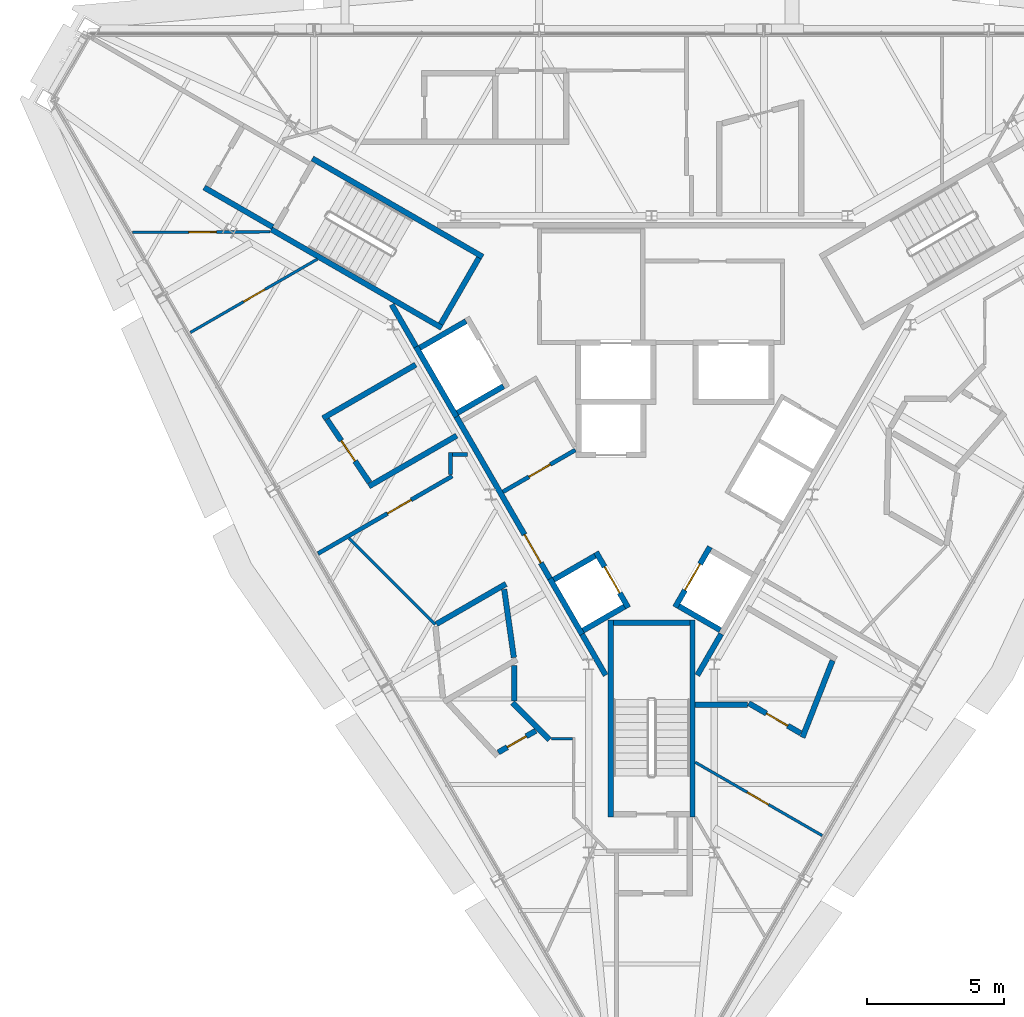
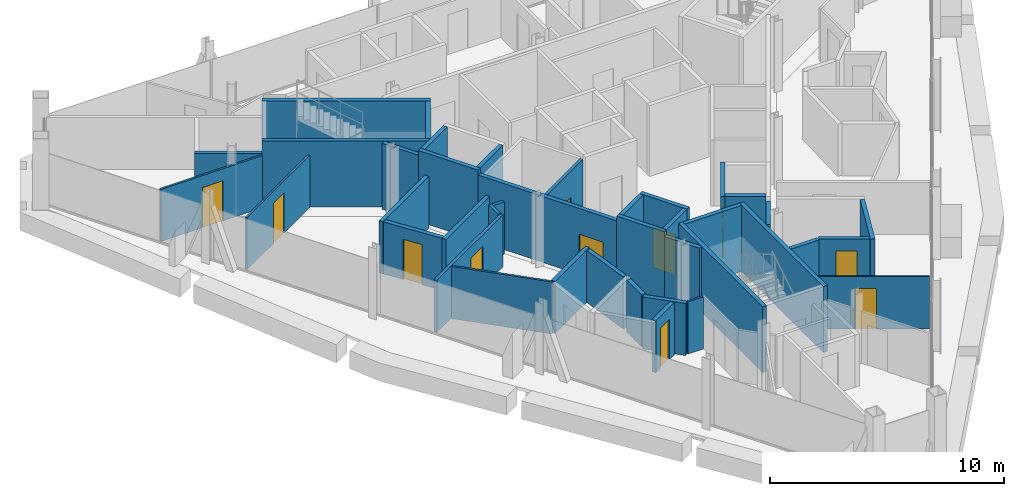
# One storey, part 8 of 13: 40 walls, 11 doors, 11 openings.
"""IFC4 building model written with IfcOpenShell, lengths in metres."""

import ifcopenshell
import ifcopenshell.guid

model = None  # the IFC model being written
_history = None  # IfcOwnerHistory: only IFC2X3 demands one
_inside = {}  # id of a spatial element -> (the spatial element, [elements in it])
_under = {}  # id of a project, library or spatial element -> (it, [spatial elements below it])
_declared = {}  # id of a project -> (the project, [libraries it declares])
_typed = {}  # id of a type object -> (the type object, [elements of that type])
_made_of = {}  # id of a material, layer set ... -> (it, [elements and type objects made of it])


def new_model(schema):
    """Start an empty IFC model of exactly this schema.

    Asked for "IFC4X3", IfcOpenShell would pick the latest addendum, in which some entities
    have other attributes; the version numbers below select the first issue.
    IFC2X3 requires an IfcOwnerHistory on every rooted entity: one is made here for all.
    """
    global model, _history
    if schema == "IFC4X3":
        model = ifcopenshell.file(schema_version=(4, 3, 0, 0))
    else:
        model = ifcopenshell.file(schema=schema)
    _inside.clear()
    _under.clear()
    _declared.clear()
    _typed.clear()
    _made_of.clear()
    _history = None
    if model.schema == "IFC2X3":
        org = make("IfcOrganization", Name="unknown")
        user = make(
            "IfcPersonAndOrganization",
            ThePerson=make("IfcPerson", FamilyName="unknown"),
            TheOrganization=org,
        )
        app = make(
            "IfcApplication",
            ApplicationDeveloper=org,
            Version="unknown",
            ApplicationFullName="unknown",
            ApplicationIdentifier="unknown",
        )
        _history = make(
            "IfcOwnerHistory",
            OwningUser=user,
            OwningApplication=app,
            ChangeAction="ADDED",
            CreationDate=0,
        )
    return model


def make(cls, **values):
    """One entity of the class cls with the attributes given. An attribute that is None is left unset."""
    return model.create_entity(
        cls, **{name: value for name, value in values.items() if value is not None}
    )


def rooted(cls, **values):
    """An entity with a GlobalId (a new one), such as an element, a storey or a relation."""
    return make(cls, GlobalId=ifcopenshell.guid.new(), OwnerHistory=_history, **values)


def si_unit(unit_type, name, prefix=None):
    """IfcSIUnit, for example si_unit("LENGTHUNIT", "METRE", prefix="MILLI")."""
    return make("IfcSIUnit", UnitType=unit_type, Prefix=prefix, Name=name)


def assignment(units):
    """IfcUnitAssignment: the units of a project."""
    return None if units is None else make("IfcUnitAssignment", Units=units)


def point(xyz):
    """IfcCartesianPoint."""
    return None if xyz is None else make("IfcCartesianPoint", Coordinates=xyz)


def direction(xyz):
    """IfcDirection."""
    return None if xyz is None else make("IfcDirection", DirectionRatios=xyz)


def frame(location, z_axis=None, x_axis=None):
    """IfcAxis2Placement3D, a coordinate frame: its origin and axes. An axis left out is left unset."""
    return make(
        "IfcAxis2Placement3D",
        Location=point(location),
        Axis=direction(z_axis),
        RefDirection=direction(x_axis),
    )


def frame_2d(location, x_axis=None):
    """IfcAxis2Placement2D, a coordinate frame in the plane: its origin and x axis."""
    return make(
        "IfcAxis2Placement2D", Location=point(location), RefDirection=direction(x_axis)
    )


def origin():
    """The frame at (0, 0, 0) with its axes left unset."""
    return frame((0.0, 0.0, 0.0))


def place(relative_to, where):
    """IfcLocalPlacement: puts the frame where relative to a parent placement (None: the world)."""
    return make(
        "IfcLocalPlacement", PlacementRelTo=relative_to, RelativePlacement=where
    )


def context(
    kind, dimensions, precision=None, world=None, true_north=None, identifier=None
):
    """IfcGeometricRepresentationContext, for example the 3D "Model" context."""
    return make(
        "IfcGeometricRepresentationContext",
        ContextIdentifier=identifier,
        ContextType=kind,
        CoordinateSpaceDimension=dimensions,
        Precision=precision,
        WorldCoordinateSystem=world,
        TrueNorth=true_north,
    )


def subcontext(parent, identifier, kind, view, scale=None):
    """IfcGeometricRepresentationSubContext, for example "Body" below "Model"."""
    return make(
        "IfcGeometricRepresentationSubContext",
        ContextIdentifier=identifier,
        ContextType=kind,
        ParentContext=parent,
        TargetScale=scale,
        TargetView=view,
    )


def project(units=None, contexts=None):
    """IfcProject with its units and contexts."""
    return rooted(
        "IfcProject",
        Name="project",
        RepresentationContexts=contexts,
        UnitsInContext=assignment(units),
    )


def spatial(cls, under=None, at=None, **own):
    """A site, building, storey or space (cls), placed at a placement, below another one or the project."""
    s = rooted(cls, ObjectPlacement=at, **own)
    if under is not None:
        _under.setdefault(under.id(), (under, []))[1].append(s)
    return s


def profile(cls, at=None, kind="AREA", **sizes):
    """A parametric profile (cls). Its sizes go by their IFC names, for example OverallWidth=200.0."""
    return make(cls, ProfileType=kind, Position=at, **sizes)


def rectangle(**sizes):
    """IfcRectangleProfileDef."""
    return profile("IfcRectangleProfileDef", **sizes)


def extrude(swept, where, along, depth):
    """IfcExtrudedAreaSolid: the profile swept, set in the frame where, extruded along a direction by depth."""
    return make(
        "IfcExtrudedAreaSolid",
        SweptArea=swept,
        Position=where,
        ExtrudedDirection=direction(along),
        Depth=depth,
    )


def shape(context_of_items, identifier, shape_type, items):
    """IfcShapeRepresentation: the items that make up one representation, for example the "Body"."""
    return make(
        "IfcShapeRepresentation",
        ContextOfItems=context_of_items,
        RepresentationIdentifier=identifier,
        RepresentationType=shape_type,
        Items=items,
    )


def material(Name=None, Category=None):
    """IfcMaterial."""
    return make("IfcMaterial", Name=Name, Category=Category)


def layer(
    of_material, thickness, ventilated=None, Name=None, Category=None, Priority=None
):
    """IfcMaterialLayer: one layer of a wall or slab, of a material (None: an air gap)."""
    return make(
        "IfcMaterialLayer",
        Material=of_material,
        LayerThickness=thickness,
        IsVentilated=ventilated,
        Name=Name,
        Category=Category,
        Priority=Priority,
    )


def layer_set(layers, Name=None):
    """IfcMaterialLayerSet."""
    return make("IfcMaterialLayerSet", MaterialLayers=layers, LayerSetName=Name)


def made_of(thing, what):
    """Note that an element or type object is made of a material, layer set ...; save() writes the relation."""
    if what is not None:
        _made_of.setdefault(what.id(), (what, []))[1].append(thing)
    return thing


def type_object(cls, material=None, **own):
    """A type object (cls), such as IfcWallType, which elements share."""
    return made_of(rooted(cls, **own), material)


def element(
    cls,
    number,
    at=None,
    inside=None,
    cuts=None,
    type_object=None,
    material=None,
    context=None,
    identifier="Body",
    shape_type=None,
    held_by="IfcProductDefinitionShape",
    body=None,
    shapes=None,
    **own,
):
    """One element of the class cls, such as IfcWall. Its Tag is "e" and its number.

    at: its placement. inside: the storey or other place that contains it. cuts: it is an
    opening in that element (IfcRelVoidsElement). A single representation is given by context,
    identifier, shape_type and body (its items); several are given by shapes. held_by: the class
    of the entity that holds the representations. save() writes the other relations.
    """
    e = rooted(cls, Tag="e%d" % number, ObjectPlacement=at, **own)
    if body is not None:
        shapes = [shape(context, identifier, shape_type, body)]
    if shapes is not None:
        e.Representation = make(held_by, Representations=shapes)
    if inside is not None:
        _inside.setdefault(inside.id(), (inside, []))[1].append(e)
    if cuts is not None:
        rooted(
            "IfcRelVoidsElement", RelatingBuildingElement=cuts, RelatedOpeningElement=e
        )
    if type_object is not None:
        _typed.setdefault(type_object.id(), (type_object, []))[1].append(e)
    return made_of(e, material)


def fill(opening, filler):
    """IfcRelFillsElement: the door or window that sits in an opening."""
    return rooted(
        "IfcRelFillsElement",
        RelatingOpeningElement=opening,
        RelatedBuildingElement=filler,
    )


def aggregate(whole, parts):
    """IfcRelAggregates: a whole, such as a stair, and the parts it consists of."""
    return rooted("IfcRelAggregates", RelatingObject=whole, RelatedObjects=parts)


def save(model, path):
    """Write the relations noted so far, then the file.

    IfcRelAggregates (storeys below a building ...), IfcRelContainedInSpatialStructure (elements
    in a storey), IfcRelDefinesByType, IfcRelAssociatesMaterial and IfcRelDeclares: one each for
    every whole, place, type object, material and project.
    """
    for whole, parts in _under.values():
        aggregate(whole, parts)
    for where, things in _inside.values():
        rooted(
            "IfcRelContainedInSpatialStructure",
            RelatedElements=things,
            RelatingStructure=where,
        )
    for kind, things in _typed.values():
        rooted("IfcRelDefinesByType", RelatedObjects=things, RelatingType=kind)
    for what, things in _made_of.values():
        rooted("IfcRelAssociatesMaterial", RelatedObjects=things, RelatingMaterial=what)
    for by, libraries in _declared.values():
        rooted("IfcRelDeclares", RelatingContext=by, RelatedDefinitions=libraries)
    model.write(path)


model = new_model("IFC4")

# Units and contexts
model_context = context("Model", 3, precision=1e-05, world=origin(), true_north=direction((0.0, 1.0)))
body_context = subcontext(model_context, "Body", "Model", "MODEL_VIEW")
ifc_project = project(units=[si_unit("LENGTHUNIT", "METRE"), si_unit("AREAUNIT", "SQUARE_METRE"), si_unit("VOLUMEUNIT", "CUBIC_METRE"), si_unit("PLANEANGLEUNIT", "RADIAN"), si_unit("MASSUNIT", "GRAM", prefix="KILO")], contexts=[model_context])

# Site, building, storey
site_placement = place(None, origin())
site = spatial("IfcSite", under=ifc_project, at=site_placement, CompositionType="ELEMENT")
building_placement = place(site_placement, origin())
building = spatial("IfcBuilding", under=site, at=building_placement, Name="Verrane Prism Tower", CompositionType="ELEMENT")
storey_placement = place(building_placement, frame((0.0, 0.0, 282.5)))
storey = spatial("IfcBuildingStorey", under=building, at=storey_placement, Name="L71", CompositionType="ELEMENT", Elevation=282.5)

# Wall
ifc_material_1 = material(Name="Gypsum board partition", Category="other")
ifc_layer_1 = layer(ifc_material_1, 0.199951171875)
ifc_layer_set_1 = layer_set([ifc_layer_1], Name="CW-200 core boundary wall 2 h")
wall_type_1 = type_object("IfcWallType", Name="CW-200 core boundary wall 2 h", PredefinedType="PARTITIONING", material=ifc_layer_set_1)
wall_1_placement = place(storey_placement, frame((-9.509033203125, 3.550537109375, 0.0), z_axis=(0.0, 0.0, 1.0), x_axis=(0.499999136801, -0.866025902152, 0.0)))
element("IfcWall", 1, at=wall_1_placement, inside=storey, type_object=wall_type_1, Name="Core boundary wall CW3-001", PredefinedType="PARTITIONING", context=body_context, shape_type="SweptSolid", body=[
    extrude(rectangle(XDim=1.7822265625, YDim=0.199951171875, at=frame_2d((0.89111328125, 0.0))), origin(), (0.0, 0.0, 1.0), 3.449951171875),
])

# Wall, opening, door
wall_2_placement = place(storey_placement, frame((-7.14111328125, -0.551025390625, 0.0), z_axis=(0.0, 0.0, 1.0), x_axis=(0.500001302854, -0.86602465158, 0.0)))
wall_2 = element("IfcWall", 2, at=wall_2_placement, inside=storey, type_object=wall_type_1, Name="Core boundary wall CW3-003", PredefinedType="PARTITIONING", context=body_context, shape_type="SweptSolid", body=[
    extrude(rectangle(XDim=6.84619140625, YDim=0.199951171875, at=frame_2d((3.423095703125, 0.0))), origin(), (0.0, 0.0, 1.0), 3.449951171875),
])
opening_1_placement = place(wall_2_placement, frame((4.98291015625, 0.0, 0.0)))
opening_1 = element("IfcOpeningElement", 3, at=opening_1_placement, cuts=wall_2, Name="Opening D69510", PredefinedType="OPENING", context=body_context, shape_type="SweptSolid", body=[
    extrude(rectangle(XDim=1.199951171875, YDim=2.10009765625, at=frame_2d((0.60009765625, 1.050048828125))), frame((0.0, 0.10986328125, 0.0), z_axis=(0.0, -1.0, 0.0), x_axis=(1.0, 0.0, 0.0)), (0.0, 0.0, 1.0), 0.219970703125),
])
ifc_material_2 = material(Name="Timber veneered door leaf", Category="wood")
door_type_1 = type_object("IfcDoorType", Name="DR-1200x2100 FD60 single leaf lift lobby", OperationType="NOTDEFINED", PredefinedType="DOOR", material=ifc_material_2)
door_1_placement = place(opening_1_placement, origin())
door_1 = element("IfcDoor", 4, at=door_1_placement, inside=storey, type_object=door_type_1, Name="Lift lobby door D69510", OperationType="SINGLE_SWING_RIGHT", OverallHeight=2.10009765625, OverallWidth=1.199951171875, PredefinedType="DOOR", context=body_context, shape_type="SweptSolid", body=[
    extrude(rectangle(XDim=1.199951171875, YDim=2.10009765625, at=frame_2d((0.60009765625, 1.050048828125))), frame((0.0, 0.02490234375, 0.0), z_axis=(0.0, -1.0, 0.0), x_axis=(1.0, 0.0, 0.0)), (0.0, 0.0, 1.0), 0.050048828125),
])
fill(opening_1, door_1)

# Walls
wall_3_placement = place(storey_placement, frame((-2.541015625, -8.51904296875, 0.0), z_axis=(0.0, 0.0, 1.0), x_axis=(0.500016142392, -0.86601608377, 0.0)))
element("IfcWall", 5, at=wall_3_placement, inside=storey, type_object=wall_type_1, Name="Core boundary wall CW3-004", PredefinedType="PARTITIONING", context=body_context, shape_type="SweptSolid", body=[
    extrude(rectangle(XDim=1.72705078125, YDim=0.199951171875, at=frame_2d((0.863525390625, 0.0))), origin(), (0.0, 0.0, 1.0), 3.449951171875),
])
wall_4_placement = place(storey_placement, frame((1.677490234375, -10.0146484375, 0.0), z_axis=(0.0, 0.0, 1.0), x_axis=(0.49983532306, 0.866120459187, 0.0)))
element("IfcWall", 6, at=wall_4_placement, inside=storey, type_object=wall_type_1, Name="Core boundary wall CW3-005", PredefinedType="PARTITIONING", context=body_context, shape_type="SweptSolid", body=[
    extrude(rectangle(XDim=1.74755859375, YDim=0.199951171875, at=frame_2d((0.873779296875, 0.0))), origin(), (0.0, 0.0, 1.0), 3.449951171875),
])
ifc_material_3 = material(Name="Concrete C40/50", Category="concrete")
ifc_layer_2 = layer(ifc_material_3, 0.199951171875)
ifc_layer_set_2 = layer_set([ifc_layer_2], Name="CW-200 stair core wall concrete C40/50 3 h")
wall_type_2 = type_object("IfcWallType", Name="CW-200 stair core wall concrete C40/50 3 h", PredefinedType="PARTITIONING", material=ifc_layer_set_2)
for number, where, z_axis, x_axis, name in (
    (7, (-7.67822265625, 2.700927734375, 0.0), (0.0, 0.0, 1.0), (-0.866018442252, 0.500012057535, 0.0), "Stair 2 enclosure wall"),
    (8, (-6.17822265625, 5.299072265625, 0.0), (0.0, 0.0, 1.0), (-0.866033125095, 0.499986626058, 0.0), "Stair 2 enclosure wall"),
):
    element("IfcWall", number, at=place(storey_placement, frame(where, z_axis=z_axis, x_axis=x_axis)), inside=storey, type_object=wall_type_2, Name=name, PredefinedType="PARTITIONING", context=body_context, shape_type="SweptSolid", body=[
        extrude(rectangle(XDim=7.199951171875, YDim=0.199951171875, at=frame_2d((3.60009765625, 0.0))), origin(), (0.0, 0.0, 1.0), 3.449951171875),
    ])
wall_5_placement = place(storey_placement, frame((-6.314697265625, 5.262451171875, 0.0), z_axis=(0.0, 0.0, 1.0), x_axis=(-0.500049511043, -0.865996816683, 0.0)))
element("IfcWall", 9, at=wall_5_placement, inside=storey, type_object=wall_type_2, Name="Stair 2 enclosure wall", PredefinedType="PARTITIONING", context=body_context, shape_type="SweptSolid", body=[
    extrude(rectangle(XDim=2.800048828125, YDim=0.199951171875, at=frame_2d((1.39990234375, 0.0))), origin(), (0.0, 0.0, 1.0), 3.449951171875),
])
for number, where, z_axis, x_axis, name in (
    (10, (1.5, -8.0, 0.0), (0.0, 0.0, 1.0), (0.0, -1.0, 0.0), "Stair 3 enclosure wall"),
    (11, (-1.5, -8.0, 0.0), (0.0, 0.0, 1.0), (0.0, -1.0, 0.0), "Stair 3 enclosure wall"),
):
    element("IfcWall", number, at=place(storey_placement, frame(where, z_axis=z_axis, x_axis=x_axis)), inside=storey, type_object=wall_type_2, Name=name, PredefinedType="PARTITIONING", context=body_context, shape_type="SweptSolid", body=[
        extrude(rectangle(XDim=7.199951171875, YDim=0.199951171875, at=frame_2d((3.60009765625, 0.0))), origin(), (0.0, 0.0, 1.0), 3.449951171875),
    ])
wall_6_placement = place(storey_placement, frame((-1.39990234375, -8.10009765625, 0.0), z_axis=(0.0, 0.0, 1.0), x_axis=(1.0, 0.0, 0.0)))
element("IfcWall", 12, at=wall_6_placement, inside=storey, type_object=wall_type_2, Name="Stair 3 enclosure wall", PredefinedType="PARTITIONING", context=body_context, shape_type="SweptSolid", body=[
    extrude(rectangle(XDim=2.7998046875, YDim=0.199951171875, at=frame_2d((1.39990234375, 0.0))), origin(), (0.0, 0.0, 1.0), 3.449951171875),
])
ifc_material_4 = material(Name="Gypsum board shaft wall assembly", Category="other")
ifc_layer_3 = layer(ifc_material_4, 0.199951171875)
ifc_layer_set_3 = layer_set([ifc_layer_3], Name="HW-200 lift shaft wall 2 h")
wall_type_3 = type_object("IfcWallType", Name="HW-200 lift shaft wall 2 h", PredefinedType="PARTITIONING", material=ifc_layer_set_3)
for number, where, z_axis, x_axis, name in (
    (13, (-2.50537109375, -8.38037109375, 0.0), (0.0, 0.0, 1.0), (0.866002029911, 0.500040482552, 0.0), "Lift shaft wall"),
    (14, (-3.580322265625, -6.5185546875, 0.0), (0.0, 0.0, 1.0), (0.866002029911, 0.500040482552, 0.0), "Lift shaft wall"),
):
    element("IfcWall", number, at=place(storey_placement, frame(where, z_axis=z_axis, x_axis=x_axis)), inside=storey, type_object=wall_type_3, Name=name, PredefinedType="PARTITIONING", context=body_context, shape_type="SweptSolid", body=[
        extrude(rectangle(XDim=1.749755859375, YDim=0.199951171875, at=frame_2d((0.875, 0.0))), origin(), (0.0, 0.0, 1.0), 3.699951171875),
    ])
for number, where, z_axis, x_axis, name in (
    (15, (-7.10546875, -0.4130859375, 0.0), (0.0, 0.0, 1.0), (0.866000020948, 0.500043961785, 0.0), "Lift shaft wall"),
    (16, (-8.48046875, 1.968505859375, 0.0), (0.0, 0.0, 1.0), (0.866000020948, 0.500043961785, 0.0), "Lift shaft wall"),
):
    element("IfcWall", number, at=place(storey_placement, frame(where, z_axis=z_axis, x_axis=x_axis)), inside=storey, type_object=wall_type_3, Name=name, PredefinedType="PARTITIONING", context=body_context, shape_type="SweptSolid", body=[
        extrude(rectangle(XDim=1.949951171875, YDim=0.199951171875, at=frame_2d((0.97509765625, 0.0))), origin(), (0.0, 0.0, 1.0), 3.699951171875),
    ])

# Wall, opening, door
wall_7_placement = place(storey_placement, frame((0.86328125, -7.524658203125, 0.0), z_axis=(0.0, 0.0, 1.0), x_axis=(0.499990435942, 0.866030925526, 0.0)))
wall_7 = element("IfcWall", 17, at=wall_7_placement, inside=storey, type_object=wall_type_3, Name="Lift shaft wall", PredefinedType="PARTITIONING", context=body_context, shape_type="SweptSolid", body=[
    extrude(rectangle(XDim=2.5498046875, YDim=0.199951171875, at=frame_2d((1.27490234375, 0.0))), origin(), (0.0, 0.0, 1.0), 3.699951171875),
])
opening_2_placement = place(wall_7_placement, frame((0.72509765625, 0.0, 0.0)))
opening_2 = element("IfcOpeningElement", 18, at=opening_2_placement, cuts=wall_7, Name="Opening D69505", PredefinedType="OPENING", context=body_context, shape_type="SweptSolid", body=[
    extrude(rectangle(XDim=1.10009765625, YDim=2.10009765625, at=frame_2d((0.550048828125, 1.050048828125))), frame((0.0, 0.10986328125, 0.0), z_axis=(0.0, -1.0, 0.0), x_axis=(1.0, 0.0, 0.0)), (0.0, 0.0, 1.0), 0.219970703125),
])
ifc_material_5 = material(Name="Stainless steel sliding landing door", Category="steel")
door_type_2 = type_object("IfcDoorType", Name="LD-1100x2100 lift landing door FD90 sliding", OperationType="NOTDEFINED", PredefinedType="DOOR", material=ifc_material_5)
door_2_placement = place(opening_2_placement, origin())
door_2 = element("IfcDoor", 19, at=door_2_placement, inside=storey, type_object=door_type_2, Name="Bank C lift 3 landing door", OperationType="SLIDING_TO_LEFT", OverallHeight=2.10009765625, OverallWidth=1.10009765625, PredefinedType="DOOR", context=body_context, shape_type="SweptSolid", body=[
    extrude(rectangle(XDim=1.10009765625, YDim=2.10009765625, at=frame_2d((0.550048828125, 1.050048828125))), frame((0.0, 0.02490234375, 0.0), z_axis=(0.0, -1.0, 0.0), x_axis=(1.0, 0.0, 0.0)), (0.0, 0.0, 1.0), 0.050048828125),
])
fill(opening_2, door_2)

wall_8_placement = place(storey_placement, frame((-0.853271484375, -7.5419921875, 0.0), z_axis=(0.0, 0.0, 1.0), x_axis=(-0.500016218704, 0.866016039709, 0.0)))
wall_8 = element("IfcWall", 20, at=wall_8_placement, inside=storey, type_object=wall_type_3, Name="Lift shaft wall", PredefinedType="PARTITIONING", context=body_context, shape_type="SweptSolid", body=[
    extrude(rectangle(XDim=2.35009765625, YDim=0.199951171875, at=frame_2d((1.175048828125, 0.0))), origin(), (0.0, 0.0, 1.0), 3.699951171875),
])
opening_3_placement = place(wall_8_placement, frame((0.625, 0.0, 0.0)))
opening_3 = element("IfcOpeningElement", 21, at=opening_3_placement, cuts=wall_8, Name="Opening D69503", PredefinedType="OPENING", context=body_context, shape_type="SweptSolid", body=[
    extrude(rectangle(XDim=1.10009765625, YDim=2.10009765625, at=frame_2d((0.550048828125, 1.050048828125))), frame((0.0, 0.10986328125, 0.0), z_axis=(0.0, -1.0, 0.0), x_axis=(1.0, 0.0, 0.0)), (0.0, 0.0, 1.0), 0.219970703125),
])
door_3_placement = place(opening_3_placement, origin())
door_3 = element("IfcDoor", 22, at=door_3_placement, inside=storey, type_object=door_type_2, Name="Bank C lift 1 landing door", OperationType="SLIDING_TO_LEFT", OverallHeight=2.10009765625, OverallWidth=1.10009765625, PredefinedType="DOOR", context=body_context, shape_type="SweptSolid", body=[
    extrude(rectangle(XDim=1.10009765625, YDim=2.10009765625, at=frame_2d((0.550048828125, 1.050048828125))), frame((0.0, 0.02490234375, 0.0), z_axis=(0.0, -1.0, 0.0), x_axis=(1.0, 0.0, 0.0)), (0.0, 0.0, 1.0), 0.050048828125),
])
fill(opening_3, door_3)

# Walls
wall_9_placement = place(storey_placement, frame((-2.5419921875, -8.51708984375, 0.0), z_axis=(0.0, 0.0, 1.0), x_axis=(-0.500016218704, 0.866016039709, 0.0)))
element("IfcWall", 23, at=wall_9_placement, inside=storey, type_object=wall_type_3, Name="Lift shaft wall", PredefinedType="PARTITIONING", context=body_context, shape_type="SweptSolid", body=[
    extrude(rectangle(XDim=2.35009765625, YDim=0.199951171875, at=frame_2d((1.175048828125, 0.0))), origin(), (0.0, 0.0, 1.0), 3.699951171875),
])
wall_10_placement = place(storey_placement, frame((-7.14208984375, -0.549560546875, 0.0), z_axis=(0.0, 0.0, 1.0), x_axis=(-0.49997559174, 0.866039495442, 0.0)))
element("IfcWall", 24, at=wall_10_placement, inside=storey, type_object=wall_type_3, Name="Lift shaft wall", PredefinedType="PARTITIONING", context=body_context, shape_type="SweptSolid", body=[
    extrude(rectangle(XDim=2.949951171875, YDim=0.199951171875, at=frame_2d((1.47509765625, 0.0))), origin(), (0.0, 0.0, 1.0), 3.699951171875),
])
wall_11_placement = place(storey_placement, frame((2.515380859375, -8.36328125, 0.0), z_axis=(0.0, 0.0, 1.0), x_axis=(-0.866036909293, 0.499980071345, 0.0)))
element("IfcWall", 25, at=wall_11_placement, inside=storey, type_object=wall_type_3, Name="Lift shaft wall", PredefinedType="PARTITIONING", context=body_context, shape_type="SweptSolid", body=[
    extrude(rectangle(XDim=1.75, YDim=0.199951171875, at=frame_2d((0.875, 0.0))), origin(), (0.0, 0.0, 1.0), 3.699951171875),
])

# Wall, opening, door
ifc_material_6 = material(Name="Gypsum board partition", Category="other")
ifc_layer_4 = layer(ifc_material_6, 0.10009765625)
ifc_layer_set_4 = layer_set([ifc_layer_4], Name="PW-100 room partition")
wall_type_4 = type_object("IfcWallType", Name="PW-100 room partition", PredefinedType="PARTITIONING", material=ifc_layer_set_4)
wall_12_placement = place(storey_placement, frame((-19.00537109375, 6.19580078125, 0.0), z_axis=(0.0, 0.0, 1.0), x_axis=(0.999993403855, 0.003632113191, 0.0)))
wall_12 = element("IfcWall", 26, at=wall_12_placement, inside=storey, type_object=wall_type_4, Name="Room partition 002", PredefinedType="PARTITIONING", context=body_context, shape_type="SweptSolid", body=[
    extrude(rectangle(XDim=5.041259765625, YDim=0.10009765625, at=frame_2d((2.5205078125, 0.0))), origin(), (0.0, 0.0, 1.0), 2.722900390625),
])
opening_4_placement = place(wall_12_placement, frame((2.074462890625, 0.0, 0.0)))
opening_4 = element("IfcOpeningElement", 27, at=opening_4_placement, cuts=wall_12, Name="Opening D69022", PredefinedType="OPENING", context=body_context, shape_type="SweptSolid", body=[
    extrude(rectangle(XDim=1.0, YDim=2.10009765625, at=frame_2d((0.5, 1.050048828125))), frame((0.0, 0.06005859375, 0.0), z_axis=(0.0, -1.0, 0.0), x_axis=(1.0, 0.0, 0.0)), (0.0, 0.0, 1.0), 0.1201171875),
])
ifc_material_7 = material(Name="Timber veneered door leaf", Category="wood")
door_type_3 = type_object("IfcDoorType", Name="DR-1000x2100 single leaf inner", OperationType="NOTDEFINED", PredefinedType="DOOR", material=ifc_material_7)
door_4_placement = place(opening_4_placement, origin())
door_4 = element("IfcDoor", 28, at=door_4_placement, inside=storey, type_object=door_type_3, Name="Study door", OperationType="SINGLE_SWING_RIGHT", OverallHeight=2.10009765625, OverallWidth=1.0, PredefinedType="DOOR", context=body_context, shape_type="SweptSolid", body=[
    extrude(rectangle(XDim=1.0, YDim=2.10009765625, at=frame_2d((0.5, 1.050048828125))), frame((0.0, 0.02490234375, 0.0), z_axis=(0.0, -1.0, 0.0), x_axis=(1.0, 0.0, 0.0)), (0.0, 0.0, 1.0), 0.050048828125),
])
fill(opening_4, door_4)

wall_13_placement = place(storey_placement, frame((-16.87744140625, 2.531005859375, 0.0), z_axis=(0.0, 0.0, 1.0), x_axis=(0.865988563531, 0.500063803762, 0.0)))
wall_13 = element("IfcWall", 29, at=wall_13_placement, inside=storey, type_object=wall_type_4, Name="Room partition 003", PredefinedType="PARTITIONING", context=body_context, shape_type="SweptSolid", body=[
    extrude(rectangle(XDim=5.365478515625, YDim=0.10009765625, at=frame_2d((2.6826171875, 0.0))), origin(), (0.0, 0.0, 1.0), 2.722900390625),
])
opening_5_placement = place(wall_13_placement, frame((2.253662109375, 0.0, 0.0)))
opening_5 = element("IfcOpeningElement", 30, at=opening_5_placement, cuts=wall_13, Name="Opening D69019", PredefinedType="OPENING", context=body_context, shape_type="SweptSolid", body=[
    extrude(rectangle(XDim=0.89990234375, YDim=2.10009765625, at=frame_2d((0.449951171875, 1.050048828125))), frame((0.0, 0.06005859375, 0.0), z_axis=(0.0, -1.0, 0.0), x_axis=(1.0, 0.0, 0.0)), (0.0, 0.0, 1.0), 0.1201171875),
])
ifc_material_8 = material(Name="Timber veneered door leaf", Category="wood")
door_type_4 = type_object("IfcDoorType", Name="DR-900x2100 single leaf inner", OperationType="NOTDEFINED", PredefinedType="DOOR", material=ifc_material_8)
door_5_placement = place(opening_5_placement, origin())
door_5 = element("IfcDoor", 31, at=door_5_placement, inside=storey, type_object=door_type_4, Name="Living And Dining Room door", OperationType="SINGLE_SWING_LEFT", OverallHeight=2.10009765625, OverallWidth=0.89990234375, PredefinedType="DOOR", context=body_context, shape_type="SweptSolid", body=[
    extrude(rectangle(XDim=0.89990234375, YDim=2.10009765625, at=frame_2d((0.449951171875, 1.050048828125))), frame((0.0, 0.02490234375, 0.0), z_axis=(0.0, -1.0, 0.0), x_axis=(1.0, 0.0, 0.0)), (0.0, 0.0, 1.0), 0.050048828125),
])
fill(opening_5, door_5)

# Walls
wall_14_placement = place(storey_placement, frame((-11.070556640625, -5.00830078125, 0.0), z_axis=(0.0, 0.0, 1.0), x_axis=(0.707079435951, -0.707134125365, 0.0)))
element("IfcWall", 32, at=wall_14_placement, inside=storey, type_object=wall_type_4, Name="Room partition 014", PredefinedType="PARTITIONING", context=body_context, shape_type="SweptSolid", body=[
    extrude(rectangle(XDim=4.464111328125, YDim=0.10009765625, at=frame_2d((2.23193359375, 0.0))), origin(), (0.0, 0.0, 1.0), 2.722900390625),
])
wall_15_placement = place(storey_placement, frame((-3.6640625, -12.339111328125, 0.0), z_axis=(0.0, 0.0, 1.0), x_axis=(1.0, 0.0, 0.0)))
element("IfcWall", 33, at=wall_15_placement, inside=storey, type_object=wall_type_4, Name="Room partition 032", PredefinedType="PARTITIONING", context=body_context, shape_type="SweptSolid", body=[
    extrude(rectangle(XDim=0.76416015625, YDim=0.10009765625, at=frame_2d((0.382080078125, 0.0))), origin(), (0.0, 0.0, 1.0), 2.722900390625),
])

# Wall, opening, door
wall_16_placement = place(storey_placement, frame((6.24658203125, -15.8828125, 0.0), z_axis=(0.0, 0.0, 1.0), x_axis=(-0.866008267802, 0.500029679218, 0.0)))
wall_16 = element("IfcWall", 34, at=wall_16_placement, inside=storey, type_object=wall_type_4, Name="Room partition 046", PredefinedType="PARTITIONING", context=body_context, shape_type="SweptSolid", body=[
    extrude(rectangle(XDim=5.365478515625, YDim=0.10009765625, at=frame_2d((2.6826171875, 0.0))), origin(), (0.0, 0.0, 1.0), 2.722900390625),
])
opening_6_placement = place(wall_16_placement, frame((2.265380859375, 0.0, 0.0)))
opening_6 = element("IfcOpeningElement", 35, at=opening_6_placement, cuts=wall_16, Name="Opening D69001", PredefinedType="OPENING", context=body_context, shape_type="SweptSolid", body=[
    extrude(rectangle(XDim=0.89990234375, YDim=2.10009765625, at=frame_2d((0.449951171875, 1.050048828125))), frame((0.0, 0.06005859375, 0.0), z_axis=(0.0, -1.0, 0.0), x_axis=(1.0, 0.0, 0.0)), (0.0, 0.0, 1.0), 0.1201171875),
])
door_6_placement = place(opening_6_placement, origin())
door_6 = element("IfcDoor", 36, at=door_6_placement, inside=storey, type_object=door_type_4, Name="Living And Dining Room door", OperationType="SINGLE_SWING_RIGHT", OverallHeight=2.10009765625, OverallWidth=0.89990234375, PredefinedType="DOOR", context=body_context, shape_type="SweptSolid", body=[
    extrude(rectangle(XDim=0.89990234375, YDim=2.10009765625, at=frame_2d((0.449951171875, 1.050048828125))), frame((0.0, 0.02490234375, 0.0), z_axis=(0.0, -1.0, 0.0), x_axis=(1.0, 0.0, 0.0)), (0.0, 0.0, 1.0), 0.050048828125),
])
fill(opening_6, door_6)

ifc_material_9 = material(Name="Gypsum board partition", Category="other")
ifc_layer_5 = layer(ifc_material_9, 0.14990234375)
ifc_layer_set_5 = layer_set([ifc_layer_5], Name="PW-150 demising wall 1 h")
wall_type_5 = type_object("IfcWallType", Name="PW-150 demising wall 1 h", PredefinedType="PARTITIONING", material=ifc_layer_set_5)
wall_17_placement = place(storey_placement, frame((-12.205078125, -5.562255859375, 0.0), z_axis=(0.0, 0.0, 1.0), x_axis=(0.866006351856, 0.500032997455, 0.0)))
wall_17 = element("IfcWall", 37, at=wall_17_placement, inside=storey, type_object=wall_type_5, Name="Demising wall 010", PredefinedType="PARTITIONING", context=body_context, shape_type="SweptSolid", body=[
    extrude(rectangle(XDim=5.6708984375, YDim=0.14990234375, at=frame_2d((2.83544921875, 0.0))), origin(), (0.0, 0.0, 1.0), 2.722900390625),
])
opening_7_placement = place(wall_17_placement, frame((2.935302734375, 0.0, 0.0)))
opening_7 = element("IfcOpeningElement", 38, at=opening_7_placement, cuts=wall_17, Name="Opening D69020", PredefinedType="OPENING", context=body_context, shape_type="SweptSolid", body=[
    extrude(rectangle(XDim=1.0, YDim=2.10009765625, at=frame_2d((0.5, 1.050048828125))), frame((0.0, 0.0849609375, 0.0), z_axis=(0.0, -1.0, 0.0), x_axis=(1.0, 0.0, 0.0)), (0.0, 0.0, 1.0), 0.169921875),
])
ifc_material_10 = material(Name="Timber veneered door leaf", Category="wood")
door_type_5 = type_object("IfcDoorType", Name="DR-1000x2100 FD20 single leaf inner", OperationType="NOTDEFINED", PredefinedType="DOOR", material=ifc_material_10)
door_7_placement = place(opening_7_placement, origin())
door_7 = element("IfcDoor", 39, at=door_7_placement, inside=storey, type_object=door_type_5, Name="Entrance Foyer door", OperationType="SINGLE_SWING_RIGHT", OverallHeight=2.10009765625, OverallWidth=1.0, PredefinedType="DOOR", context=body_context, shape_type="SweptSolid", body=[
    extrude(rectangle(XDim=1.0, YDim=2.10009765625, at=frame_2d((0.5, 1.050048828125))), frame((0.0, 0.02490234375, 0.0), z_axis=(0.0, -1.0, 0.0), x_axis=(1.0, 0.0, 0.0)), (0.0, 0.0, 1.0), 0.050048828125),
])
fill(opening_7, door_7)

# Walls
wall_18_placement = place(storey_placement, frame((-7.35888671875, -2.6640625, 0.0), z_axis=(0.0, 0.0, 1.0), x_axis=(0.0, 1.0, 0.0)))
element("IfcWall", 40, at=wall_18_placement, inside=storey, type_object=wall_type_5, Name="Demising wall 023", PredefinedType="PARTITIONING", context=body_context, shape_type="SweptSolid", body=[
    extrude(rectangle(XDim=0.80810546875, YDim=0.14990234375, at=frame_2d((0.404052734375, 0.0))), origin(), (0.0, 0.0, 1.0), 2.722900390625),
])
wall_19_placement = place(storey_placement, frame((-7.283935546875, -1.930908203125, 0.0), z_axis=(0.0, 0.0, 1.0), x_axis=(1.0, 0.0, 0.0)))
element("IfcWall", 41, at=wall_19_placement, inside=storey, type_object=wall_type_5, Name="Demising wall 024", PredefinedType="PARTITIONING", context=body_context, shape_type="SweptSolid", body=[
    extrude(rectangle(XDim=0.546875, YDim=0.14990234375, at=frame_2d((0.2734375, 0.0))), origin(), (0.0, 0.0, 1.0), 2.722900390625),
])
ifc_material_11 = material(Name="Gypsum board partition", Category="other")
ifc_layer_6 = layer(ifc_material_11, 0.199951171875)
ifc_layer_set_6 = layer_set([ifc_layer_6], Name="PW-200 plumbing wall")
wall_type_6 = type_object("IfcWallType", Name="PW-200 plumbing wall", PredefinedType="PARTITIONING", material=ifc_layer_set_6)
wall_20_placement = place(storey_placement, frame((-16.37451171875, 7.838134765625, 0.0), z_axis=(0.0, 0.0, 1.0), x_axis=(0.865912083802, -0.500196224622, 0.0)))
element("IfcWall", 42, at=wall_20_placement, inside=storey, type_object=wall_type_6, Name="Plumbing wall 005", PredefinedType="PARTITIONING", context=body_context, shape_type="SweptSolid", body=[
    extrude(rectangle(XDim=2.899169921875, YDim=0.199951171875, at=frame_2d((1.44970703125, 0.0))), origin(), (0.0, 0.0, 1.0), 2.722900390625),
])

# Wall, opening, door
wall_21_placement = place(storey_placement, frame((-11.87841796875, -0.650146484375, 0.0), z_axis=(0.0, 0.0, 1.0), x_axis=(0.55887703026, -0.829250544195, 0.0)))
wall_21 = element("IfcWall", 43, at=wall_21_placement, inside=storey, type_object=wall_type_6, Name="Plumbing wall 011", PredefinedType="PARTITIONING", context=body_context, shape_type="SweptSolid", body=[
    extrude(rectangle(XDim=2.78759765625, YDim=0.199951171875, at=frame_2d((1.393798828125, 0.0))), origin(), (0.0, 0.0, 1.0), 2.722900390625),
])
opening_8_placement = place(wall_21_placement, frame((0.93994140625, 0.0, 0.0)))
opening_8 = element("IfcOpeningElement", 44, at=opening_8_placement, cuts=wall_21, Name="Opening D69021", PredefinedType="OPENING", context=body_context, shape_type="SweptSolid", body=[
    extrude(rectangle(XDim=0.89990234375, YDim=2.10009765625, at=frame_2d((0.449951171875, 1.050048828125))), frame((0.0, 0.10986328125, 0.0), z_axis=(0.0, -1.0, 0.0), x_axis=(1.0, 0.0, 0.0)), (0.0, 0.0, 1.0), 0.219970703125),
])
door_8_placement = place(opening_8_placement, origin())
door_8 = element("IfcDoor", 45, at=door_8_placement, inside=storey, type_object=door_type_4, Name="Kitchen door", OperationType="SINGLE_SWING_LEFT", OverallHeight=2.10009765625, OverallWidth=0.89990234375, PredefinedType="DOOR", context=body_context, shape_type="SweptSolid", body=[
    extrude(rectangle(XDim=0.89990234375, YDim=2.10009765625, at=frame_2d((0.449951171875, 1.050048828125))), frame((0.0, 0.02490234375, 0.0), z_axis=(0.0, -1.0, 0.0), x_axis=(1.0, 0.0, 0.0)), (0.0, 0.0, 1.0), 0.050048828125),
])
fill(opening_8, door_8)

# Walls
wall_22_placement = place(storey_placement, frame((-12.026611328125, -0.60888671875, 0.0), z_axis=(0.0, 0.0, 1.0), x_axis=(0.866011328839, 0.500024377727, 0.0)))
element("IfcWall", 46, at=wall_22_placement, inside=storey, type_object=wall_type_6, Name="Plumbing wall 012", PredefinedType="PARTITIONING", context=body_context, shape_type="SweptSolid", body=[
    extrude(rectangle(XDim=3.919677734375, YDim=0.199951171875, at=frame_2d((1.9599609375, 0.0))), origin(), (0.0, 0.0, 1.0), 2.722900390625),
])
wall_23_placement = place(storey_placement, frame((-10.345703125, -3.10302734375, 0.0), z_axis=(0.0, 0.0, 1.0), x_axis=(0.865958782482, 0.500115373731, 0.0)))
element("IfcWall", 47, at=wall_23_placement, inside=storey, type_object=wall_type_6, Name="Plumbing wall 016", PredefinedType="PARTITIONING", context=body_context, shape_type="SweptSolid", body=[
    extrude(rectangle(XDim=3.7109375, YDim=0.199951171875, at=frame_2d((1.85546875, 0.0))), origin(), (0.0, 0.0, 1.0), 2.722900390625),
])
wall_24_placement = place(storey_placement, frame((-7.87060546875, -8.139892578125, 0.0), z_axis=(0.0, 0.0, 1.0), x_axis=(0.866106676517, 0.49985920507, 0.0)))
element("IfcWall", 48, at=wall_24_placement, inside=storey, type_object=wall_type_6, Name="Plumbing wall 020", PredefinedType="PARTITIONING", context=body_context, shape_type="SweptSolid", body=[
    extrude(rectangle(XDim=2.936279296875, YDim=0.199951171875, at=frame_2d((1.46826171875, 0.0))), origin(), (0.0, 0.0, 1.0), 2.722900390625),
])

# Wall, opening, door
wall_25_placement = place(storey_placement, frame((-5.607177734375, -12.837890625, 0.0), z_axis=(0.0, 0.0, 1.0), x_axis=(0.866095534226, 0.499878510834, 0.0)))
wall_25 = element("IfcWall", 49, at=wall_25_placement, inside=storey, type_object=wall_type_6, Name="Plumbing wall 027", PredefinedType="PARTITIONING", context=body_context, shape_type="SweptSolid", body=[
    extrude(rectangle(XDim=1.580078125, YDim=0.199951171875, at=frame_2d((0.7900390625, 0.0))), origin(), (0.0, 0.0, 1.0), 2.722900390625),
])
opening_9_placement = place(wall_25_placement, frame((0.3798828125, 0.0, 0.0)))
opening_9 = element("IfcOpeningElement", 50, at=opening_9_placement, cuts=wall_25, Name="Opening D69027", PredefinedType="OPENING", context=body_context, shape_type="SweptSolid", body=[
    extrude(rectangle(XDim=0.800048828125, YDim=2.10009765625, at=frame_2d((0.39990234375, 1.050048828125))), frame((0.0, 0.10986328125, 0.0), z_axis=(0.0, -1.0, 0.0), x_axis=(1.0, 0.0, 0.0)), (0.0, 0.0, 1.0), 0.219970703125),
])
ifc_material_12 = material(Name="Timber veneered door leaf", Category="wood")
door_type_6 = type_object("IfcDoorType", Name="DR-800x2100 single leaf inner", OperationType="NOTDEFINED", PredefinedType="DOOR", material=ifc_material_12)
door_9_placement = place(opening_9_placement, origin())
door_9 = element("IfcDoor", 51, at=door_9_placement, inside=storey, type_object=door_type_6, Name="Bathroom door", OperationType="SINGLE_SWING_LEFT", OverallHeight=2.10009765625, OverallWidth=0.800048828125, PredefinedType="DOOR", context=body_context, shape_type="SweptSolid", body=[
    extrude(rectangle(XDim=0.800048828125, YDim=2.10009765625, at=frame_2d((0.39990234375, 1.050048828125))), frame((0.0, 0.02490234375, 0.0), z_axis=(0.0, -1.0, 0.0), x_axis=(1.0, 0.0, 0.0)), (0.0, 0.0, 1.0), 0.050048828125),
])
fill(opening_9, door_9)

# Walls
wall_26_placement = place(storey_placement, frame((-5.392822265625, -6.87060546875, 0.0), z_axis=(0.0, 0.0, 1.0), x_axis=(0.140960508483, -0.990015219604, 0.0)))
element("IfcWall", 52, at=wall_26_placement, inside=storey, type_object=wall_type_6, Name="Plumbing wall 028", PredefinedType="PARTITIONING", context=body_context, shape_type="SweptSolid", body=[
    extrude(rectangle(XDim=2.521728515625, YDim=0.199951171875, at=frame_2d((1.2607421875, 0.0))), origin(), (0.0, 0.0, 1.0), 2.722900390625),
])
wall_27_placement = place(storey_placement, frame((-5.01904296875, -10.948974609375, 0.0), z_axis=(0.0, 0.0, 1.0), x_axis=(0.0, 1.0, 0.0)))
element("IfcWall", 53, at=wall_27_placement, inside=storey, type_object=wall_type_6, Name="Plumbing wall 029", PredefinedType="PARTITIONING", context=body_context, shape_type="SweptSolid", body=[
    extrude(rectangle(XDim=1.282958984375, YDim=0.199951171875, at=frame_2d((0.6416015625, 0.0))), origin(), (0.0, 0.0, 1.0), 2.722900390625),
])
wall_28_placement = place(storey_placement, frame((-5.089599609375, -11.018310546875, 0.0), z_axis=(0.0, 0.0, 1.0), x_axis=(0.707106781187, -0.707106781187, 0.0)))
element("IfcWall", 54, at=wall_28_placement, inside=storey, type_object=wall_type_6, Name="Plumbing wall 030", PredefinedType="PARTITIONING", context=body_context, shape_type="SweptSolid", body=[
    extrude(rectangle(XDim=1.917724609375, YDim=0.199951171875, at=frame_2d((0.958984375, 0.0))), origin(), (0.0, 0.0, 1.0), 2.722900390625),
])
wall_29_placement = place(storey_placement, frame((1.60009765625, -11.089111328125, 0.0), z_axis=(0.0, 0.0, 1.0), x_axis=(1.0, 0.0, 0.0)))
element("IfcWall", 55, at=wall_29_placement, inside=storey, type_object=wall_type_6, Name="Plumbing wall 047", PredefinedType="PARTITIONING", context=body_context, shape_type="SweptSolid", body=[
    extrude(rectangle(XDim=1.908935546875, YDim=0.199951171875, at=frame_2d((0.95458984375, 0.0))), origin(), (0.0, 0.0, 1.0), 2.722900390625),
])

# Wall, opening, door
wall_30_placement = place(storey_placement, frame((3.557373046875, -11.0390625, 0.0), z_axis=(0.0, 0.0, 1.0), x_axis=(0.865932364885, -0.500161113487, 0.0)))
wall_30 = element("IfcWall", 56, at=wall_30_placement, inside=storey, type_object=wall_type_6, Name="Plumbing wall 051", PredefinedType="PARTITIONING", context=body_context, shape_type="SweptSolid", body=[
    extrude(rectangle(XDim=2.199951171875, YDim=0.199951171875, at=frame_2d((1.10009765625, 0.0))), origin(), (0.0, 0.0, 1.0), 2.722900390625),
])
opening_10_placement = place(wall_30_placement, frame((0.75, 0.0, 0.0)))
opening_10 = element("IfcOpeningElement", 57, at=opening_10_placement, cuts=wall_30, Name="Opening D69003", PredefinedType="OPENING", context=body_context, shape_type="SweptSolid", body=[
    extrude(rectangle(XDim=0.89990234375, YDim=2.10009765625, at=frame_2d((0.449951171875, 1.050048828125))), frame((0.0, 0.10986328125, 0.0), z_axis=(0.0, -1.0, 0.0), x_axis=(1.0, 0.0, 0.0)), (0.0, 0.0, 1.0), 0.219970703125),
])
door_10_placement = place(opening_10_placement, origin())
door_10 = element("IfcDoor", 58, at=door_10_placement, inside=storey, type_object=door_type_4, Name="Kitchen door", OperationType="SINGLE_SWING_LEFT", OverallHeight=2.10009765625, OverallWidth=0.89990234375, PredefinedType="DOOR", context=body_context, shape_type="SweptSolid", body=[
    extrude(rectangle(XDim=0.89990234375, YDim=2.10009765625, at=frame_2d((0.449951171875, 1.050048828125))), frame((0.0, 0.02490234375, 0.0), z_axis=(0.0, -1.0, 0.0), x_axis=(1.0, 0.0, 0.0)), (0.0, 0.0, 1.0), 0.050048828125),
])
fill(opening_10, door_10)

# Wall
wall_31_placement = place(storey_placement, frame((5.525634765625, -12.2900390625, 0.0), z_axis=(0.0, 0.0, 1.0), x_axis=(0.364786545928, 0.931091174864, 0.0)))
element("IfcWall", 59, at=wall_31_placement, inside=storey, type_object=wall_type_6, Name="Plumbing wall 054", PredefinedType="PARTITIONING", context=body_context, shape_type="SweptSolid", body=[
    extrude(rectangle(XDim=3.01904296875, YDim=0.199951171875, at=frame_2d((1.509521484375, 0.0))), origin(), (0.0, 0.0, 1.0), 2.722900390625),
])

# Wall, opening, door
ifc_material_13 = material(Name="Gypsum board partition", Category="other")
ifc_layer_7 = layer(ifc_material_13, 0.14990234375)
ifc_layer_set_7 = layer_set([ifc_layer_7], Name="RS-150 riser enclosure wall 1 h")
wall_type_7 = type_object("IfcWallType", Name="RS-150 riser enclosure wall 1 h", PredefinedType="PARTITIONING", material=ifc_layer_set_7)
wall_32_placement = place(storey_placement, frame((-5.4375, -3.301025390625, 0.0), z_axis=(0.0, 0.0, 1.0), x_axis=(0.865961047596, 0.500111451624, 0.0)))
wall_32 = element("IfcWall", 60, at=wall_32_placement, inside=storey, type_object=wall_type_7, Name="Riser wall RS3-002", PredefinedType="PARTITIONING", context=body_context, shape_type="SweptSolid", body=[
    extrude(rectangle(XDim=3.060302734375, YDim=0.14990234375, at=frame_2d((1.5302734375, 0.0))), origin(), (0.0, 0.0, 1.0), 3.449951171875),
])
opening_11_placement = place(wall_32_placement, frame((1.10009765625, 0.0, 0.0)))
opening_11 = element("IfcOpeningElement", 61, at=opening_11_placement, cuts=wall_32, Name="Opening D69511", PredefinedType="OPENING", context=body_context, shape_type="SweptSolid", body=[
    extrude(rectangle(XDim=0.89990234375, YDim=2.10009765625, at=frame_2d((0.449951171875, 1.050048828125))), frame((0.0, 0.0849609375, 0.0), z_axis=(0.0, -1.0, 0.0), x_axis=(1.0, 0.0, 0.0)), (0.0, 0.0, 1.0), 0.169921875),
])
ifc_material_14 = material(Name="Timber veneered door leaf", Category="wood")
door_type_7 = type_object("IfcDoorType", Name="DR-900x2100 FD20 single leaf store", OperationType="NOTDEFINED", PredefinedType="DOOR", material=ifc_material_14)
door_11_placement = place(opening_11_placement, origin())
door_11 = element("IfcDoor", 62, at=door_11_placement, inside=storey, type_object=door_type_7, Name="Room door D69511", OperationType="SINGLE_SWING_RIGHT", OverallHeight=2.10009765625, OverallWidth=0.89990234375, PredefinedType="DOOR", context=body_context, shape_type="SweptSolid", body=[
    extrude(rectangle(XDim=0.89990234375, YDim=2.10009765625, at=frame_2d((0.449951171875, 1.050048828125))), frame((0.0, 0.02490234375, 0.0), z_axis=(0.0, -1.0, 0.0), x_axis=(1.0, 0.0, 0.0)), (0.0, 0.0, 1.0), 0.050048828125),
])
fill(opening_11, door_11)

save(model, "model.ifc")
